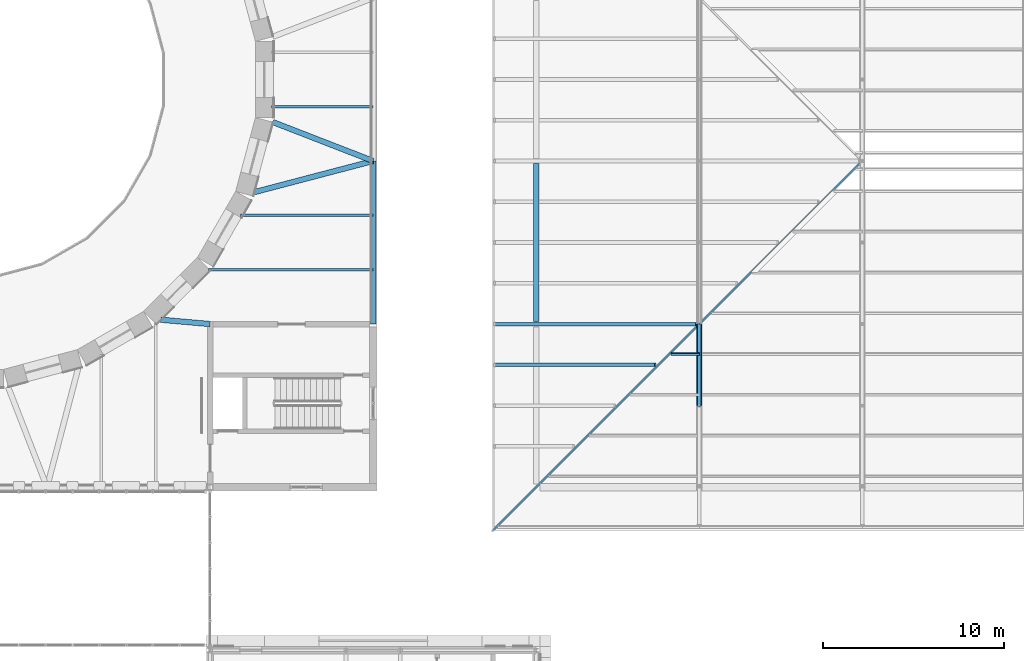
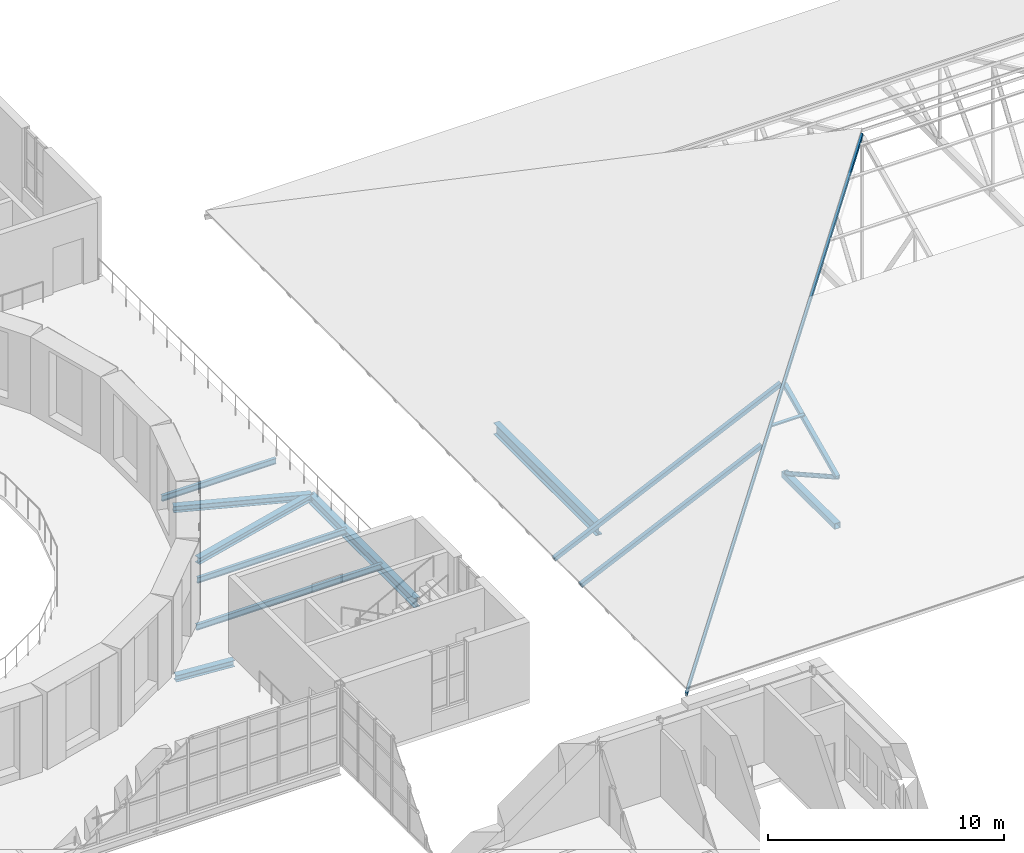
# One storey, part 49 of 154: 8 beams, 7 members.
"""IFC4 building model written with IfcOpenShell, lengths in metres."""

import ifcopenshell
import ifcopenshell.guid

model = None  # the IFC model being written
_history = None  # IfcOwnerHistory: only IFC2X3 demands one
_inside = {}  # id of a spatial element -> (the spatial element, [elements in it])
_under = {}  # id of a project, library or spatial element -> (it, [spatial elements below it])
_declared = {}  # id of a project -> (the project, [libraries it declares])
_typed = {}  # id of a type object -> (the type object, [elements of that type])
_made_of = {}  # id of a material, layer set ... -> (it, [elements and type objects made of it])


def new_model(schema):
    """Start an empty IFC model of exactly this schema.

    Asked for "IFC4X3", IfcOpenShell would pick the latest addendum, in which some entities
    have other attributes; the version numbers below select the first issue.
    IFC2X3 requires an IfcOwnerHistory on every rooted entity: one is made here for all.
    """
    global model, _history
    if schema == "IFC4X3":
        model = ifcopenshell.file(schema_version=(4, 3, 0, 0))
    else:
        model = ifcopenshell.file(schema=schema)
    _inside.clear()
    _under.clear()
    _declared.clear()
    _typed.clear()
    _made_of.clear()
    _history = None
    if model.schema == "IFC2X3":
        org = make("IfcOrganization", Name="unknown")
        user = make(
            "IfcPersonAndOrganization",
            ThePerson=make("IfcPerson", FamilyName="unknown"),
            TheOrganization=org,
        )
        app = make(
            "IfcApplication",
            ApplicationDeveloper=org,
            Version="unknown",
            ApplicationFullName="unknown",
            ApplicationIdentifier="unknown",
        )
        _history = make(
            "IfcOwnerHistory",
            OwningUser=user,
            OwningApplication=app,
            ChangeAction="ADDED",
            CreationDate=0,
        )
    return model


def make(cls, **values):
    """One entity of the class cls with the attributes given. An attribute that is None is left unset."""
    return model.create_entity(
        cls, **{name: value for name, value in values.items() if value is not None}
    )


def rooted(cls, **values):
    """An entity with a GlobalId (a new one), such as an element, a storey or a relation."""
    return make(cls, GlobalId=ifcopenshell.guid.new(), OwnerHistory=_history, **values)


def si_unit(unit_type, name, prefix=None):
    """IfcSIUnit, for example si_unit("LENGTHUNIT", "METRE", prefix="MILLI")."""
    return make("IfcSIUnit", UnitType=unit_type, Prefix=prefix, Name=name)


def assignment(units):
    """IfcUnitAssignment: the units of a project."""
    return None if units is None else make("IfcUnitAssignment", Units=units)


def point(xyz):
    """IfcCartesianPoint."""
    return None if xyz is None else make("IfcCartesianPoint", Coordinates=xyz)


def direction(xyz):
    """IfcDirection."""
    return None if xyz is None else make("IfcDirection", DirectionRatios=xyz)


def frame(location, z_axis=None, x_axis=None):
    """IfcAxis2Placement3D, a coordinate frame: its origin and axes. An axis left out is left unset."""
    return make(
        "IfcAxis2Placement3D",
        Location=point(location),
        Axis=direction(z_axis),
        RefDirection=direction(x_axis),
    )


def frame_2d(location, x_axis=None):
    """IfcAxis2Placement2D, a coordinate frame in the plane: its origin and x axis."""
    return make(
        "IfcAxis2Placement2D", Location=point(location), RefDirection=direction(x_axis)
    )


def origin():
    """The frame at (0, 0, 0) with its axes left unset."""
    return frame((0.0, 0.0, 0.0))


def origin_2d():
    """The frame at (0, 0) in the plane with its x axis left unset."""
    return frame_2d((0.0, 0.0))


def place(relative_to, where):
    """IfcLocalPlacement: puts the frame where relative to a parent placement (None: the world)."""
    return make(
        "IfcLocalPlacement", PlacementRelTo=relative_to, RelativePlacement=where
    )


def context(
    kind, dimensions, precision=None, world=None, true_north=None, identifier=None
):
    """IfcGeometricRepresentationContext, for example the 3D "Model" context."""
    return make(
        "IfcGeometricRepresentationContext",
        ContextIdentifier=identifier,
        ContextType=kind,
        CoordinateSpaceDimension=dimensions,
        Precision=precision,
        WorldCoordinateSystem=world,
        TrueNorth=true_north,
    )


def subcontext(parent, identifier, kind, view, scale=None):
    """IfcGeometricRepresentationSubContext, for example "Body" below "Model"."""
    return make(
        "IfcGeometricRepresentationSubContext",
        ContextIdentifier=identifier,
        ContextType=kind,
        ParentContext=parent,
        TargetScale=scale,
        TargetView=view,
    )


def project(units=None, contexts=None):
    """IfcProject with its units and contexts."""
    return rooted(
        "IfcProject",
        Name="project",
        RepresentationContexts=contexts,
        UnitsInContext=assignment(units),
    )


def spatial(cls, under=None, at=None, **own):
    """A site, building, storey or space (cls), placed at a placement, below another one or the project."""
    s = rooted(cls, ObjectPlacement=at, **own)
    if under is not None:
        _under.setdefault(under.id(), (under, []))[1].append(s)
    return s


def profile(cls, at=None, kind="AREA", **sizes):
    """A parametric profile (cls). Its sizes go by their IFC names, for example OverallWidth=200.0."""
    return make(cls, ProfileType=kind, Position=at, **sizes)


def hollow_rectangle(**sizes):
    """IfcRectangleHollowProfileDef."""
    return profile("IfcRectangleHollowProfileDef", **sizes)


def hollow_circle(**sizes):
    """IfcCircleHollowProfileDef."""
    return profile("IfcCircleHollowProfileDef", **sizes)


def i_section(**sizes):
    """IfcIShapeProfileDef."""
    return profile("IfcIShapeProfileDef", **sizes)


def extrude(swept, where, along, depth):
    """IfcExtrudedAreaSolid: the profile swept, set in the frame where, extruded along a direction by depth."""
    return make(
        "IfcExtrudedAreaSolid",
        SweptArea=swept,
        Position=where,
        ExtrudedDirection=direction(along),
        Depth=depth,
    )


def shape(context_of_items, identifier, shape_type, items):
    """IfcShapeRepresentation: the items that make up one representation, for example the "Body"."""
    return make(
        "IfcShapeRepresentation",
        ContextOfItems=context_of_items,
        RepresentationIdentifier=identifier,
        RepresentationType=shape_type,
        Items=items,
    )


def material(Name=None, Category=None):
    """IfcMaterial."""
    return make("IfcMaterial", Name=Name, Category=Category)


def material_profile(
    of_material, cross_section, Name=None, Category=None, Priority=None
):
    """IfcMaterialProfile: a cross section and its material."""
    return make(
        "IfcMaterialProfile",
        Name=Name,
        Material=of_material,
        Profile=cross_section,
        Priority=Priority,
        Category=Category,
    )


def profile_set(profiles, Name=None, composite=None):
    """IfcMaterialProfileSet."""
    return make(
        "IfcMaterialProfileSet",
        Name=Name,
        MaterialProfiles=profiles,
        CompositeProfile=composite,
    )


def made_of(thing, what):
    """Note that an element or type object is made of a material, layer set ...; save() writes the relation."""
    if what is not None:
        _made_of.setdefault(what.id(), (what, []))[1].append(thing)
    return thing


def type_object(cls, material=None, **own):
    """A type object (cls), such as IfcWallType, which elements share."""
    return made_of(rooted(cls, **own), material)


def element(
    cls,
    number,
    at=None,
    inside=None,
    cuts=None,
    type_object=None,
    material=None,
    context=None,
    identifier="Body",
    shape_type=None,
    held_by="IfcProductDefinitionShape",
    body=None,
    shapes=None,
    **own,
):
    """One element of the class cls, such as IfcWall. Its Tag is "e" and its number.

    at: its placement. inside: the storey or other place that contains it. cuts: it is an
    opening in that element (IfcRelVoidsElement). A single representation is given by context,
    identifier, shape_type and body (its items); several are given by shapes. held_by: the class
    of the entity that holds the representations. save() writes the other relations.
    """
    e = rooted(cls, Tag="e%d" % number, ObjectPlacement=at, **own)
    if body is not None:
        shapes = [shape(context, identifier, shape_type, body)]
    if shapes is not None:
        e.Representation = make(held_by, Representations=shapes)
    if inside is not None:
        _inside.setdefault(inside.id(), (inside, []))[1].append(e)
    if cuts is not None:
        rooted(
            "IfcRelVoidsElement", RelatingBuildingElement=cuts, RelatedOpeningElement=e
        )
    if type_object is not None:
        _typed.setdefault(type_object.id(), (type_object, []))[1].append(e)
    return made_of(e, material)


def aggregate(whole, parts):
    """IfcRelAggregates: a whole, such as a stair, and the parts it consists of."""
    return rooted("IfcRelAggregates", RelatingObject=whole, RelatedObjects=parts)


def save(model, path):
    """Write the relations noted so far, then the file.

    IfcRelAggregates (storeys below a building ...), IfcRelContainedInSpatialStructure (elements
    in a storey), IfcRelDefinesByType, IfcRelAssociatesMaterial and IfcRelDeclares: one each for
    every whole, place, type object, material and project.
    """
    for whole, parts in _under.values():
        aggregate(whole, parts)
    for where, things in _inside.values():
        rooted(
            "IfcRelContainedInSpatialStructure",
            RelatedElements=things,
            RelatingStructure=where,
        )
    for kind, things in _typed.values():
        rooted("IfcRelDefinesByType", RelatedObjects=things, RelatingType=kind)
    for what, things in _made_of.values():
        rooted("IfcRelAssociatesMaterial", RelatedObjects=things, RelatingMaterial=what)
    for by, libraries in _declared.values():
        rooted("IfcRelDeclares", RelatingContext=by, RelatedDefinitions=libraries)
    model.write(path)


model = new_model("IFC4")

# Units and contexts
model_context = context("Model", 3, precision=1e-05, world=origin(), true_north=direction((0.0, 1.0)))
body_context = subcontext(model_context, "Body", "Model", "MODEL_VIEW")
ifc_project = project(units=[si_unit("LENGTHUNIT", "METRE"), si_unit("AREAUNIT", "SQUARE_METRE"), si_unit("VOLUMEUNIT", "CUBIC_METRE"), si_unit("PLANEANGLEUNIT", "RADIAN"), si_unit("MASSUNIT", "GRAM", prefix="KILO")], contexts=[model_context])

# Site, building, storey
site_placement = place(None, origin())
site = spatial("IfcSite", under=ifc_project, at=site_placement, CompositionType="ELEMENT")
building_placement = place(site_placement, origin())
building = spatial("IfcBuilding", under=site, at=building_placement, Name="Golden Quay Civic Hall", CompositionType="ELEMENT")
storey_placement = place(building_placement, frame((0.0, 0.0, 14.39990234375)))
storey = spatial("IfcBuildingStorey", under=building, at=storey_placement, Name="L03", CompositionType="ELEMENT", Elevation=14.39990234375)

# Beams
ifc_material_1 = material(Name="Steel S355", Category="steel")
ifc_material_profile_1 = material_profile(ifc_material_1, i_section(OverallWidth=0.300048828125, OverallDepth=0.60009765625, WebThickness=0.015380859375, FlangeThickness=0.030029296875, FilletRadius=0.027099609375, at=origin_2d()), Name="HEB 600")
ifc_profile_set_1 = profile_set([ifc_material_profile_1], Name="Steel S355")
beam_type_1 = type_object("IfcBeamType", Name="Steel eaves girder HEB 600", PredefinedType="BEAM", material=ifc_profile_set_1)
beam_1_placement = place(storey_placement, frame((117.0, 72.14990234375, 0.050048828125), z_axis=(0.0, 1.0, 0.0), x_axis=(-1.0, 0.0, 0.0)))
element("IfcBeam", 1, at=beam_1_placement, inside=storey, type_object=beam_type_1, Name="Eaves girder 117-2 L03", PredefinedType="BEAM", context=body_context, shape_type="SweptSolid", body=[
    extrude(i_section(OverallWidth=0.300048828125, OverallDepth=0.60009765625, WebThickness=0.015380859375, FlangeThickness=0.030029296875, FilletRadius=0.027099609375, at=origin_2d()), origin(), (0.0, 0.0, 1.0), 8.7001953125),
])
ifc_material_2 = material(Name="Steel S355", Category="steel")
ifc_material_profile_2 = material_profile(ifc_material_2, i_section(OverallWidth=0.300048828125, OverallDepth=0.330078125, WebThickness=0.009521484375, FlangeThickness=0.0166015625, FilletRadius=0.027099609375, at=origin_2d()), Name="HEA 340")
ifc_profile_set_2 = profile_set([ifc_material_profile_2], Name="Steel S355")
beam_type_2 = type_object("IfcBeamType", Name="Steel girder HEA 340", PredefinedType="BEAM", material=ifc_profile_set_2)
beam_2_placement = place(storey_placement, frame((108.0, 81.0, -0.414794921875), z_axis=(-0.932300148585, 0.361685544291, 0.0), x_axis=(-0.361685544291, -0.932300148585, 0.0)))
element("IfcBeam", 2, at=beam_2_placement, inside=storey, type_object=beam_type_2, Name="Radial girder 13", PredefinedType="BEAM", context=body_context, shape_type="SweptSolid", body=[
    extrude(i_section(OverallWidth=0.300048828125, OverallDepth=0.330078125, WebThickness=0.009521484375, FlangeThickness=0.0166015625, FilletRadius=0.027099609375, at=origin_2d()), origin(), (0.0, 0.0, 1.0), 5.9326171875),
])
beam_3_placement = place(storey_placement, frame((108.0, 81.0, -0.414794921875), z_axis=(-0.967279624391, -0.253712688365, 0.0), x_axis=(0.253712688365, -0.967279624391, 0.0)))
element("IfcBeam", 3, at=beam_3_placement, inside=storey, type_object=beam_type_2, Name="Radial girder 14", PredefinedType="BEAM", context=body_context, shape_type="SweptSolid", body=[
    extrude(i_section(OverallWidth=0.300048828125, OverallDepth=0.330078125, WebThickness=0.009521484375, FlangeThickness=0.0166015625, FilletRadius=0.027099609375, at=origin_2d()), origin(), (0.0, 0.0, 1.0), 6.789794921875),
])
beam_4_placement = place(storey_placement, frame((99.0, 72.0, -0.414794921875), z_axis=(-0.996142967671, 0.087745016727, 0.0), x_axis=(-0.087745016727, -0.996142967671, 0.0)))
element("IfcBeam", 4, at=beam_4_placement, inside=storey, type_object=beam_type_2, Name="Radial girder 18", PredefinedType="BEAM", context=body_context, shape_type="SweptSolid", body=[
    extrude(i_section(OverallWidth=0.300048828125, OverallDepth=0.330078125, WebThickness=0.009521484375, FlangeThickness=0.0166015625, FilletRadius=0.027099609375, at=origin_2d()), origin(), (0.0, 0.0, 1.0), 2.7294921875),
])
ifc_material_3 = material(Name="Steel S355", Category="steel")
ifc_material_profile_3 = material_profile(ifc_material_3, i_section(OverallWidth=0.300048828125, OverallDepth=0.489990234375, WebThickness=0.011962890625, FlangeThickness=0.02294921875, FilletRadius=0.027099609375, at=origin_2d()), Name="HEA 500")
ifc_profile_set_3 = profile_set([ifc_material_profile_3], Name="Steel S355")
beam_type_3 = type_object("IfcBeamType", Name="Steel girder HEA 500", PredefinedType="BEAM", material=ifc_profile_set_3)
beam_5_placement = place(storey_placement, frame((108.0, 72.0, -0.494873046875), z_axis=(0.0, 1.0, 0.0), x_axis=(-1.0, 0.0, 0.0)))
element("IfcBeam", 5, at=beam_5_placement, inside=storey, type_object=beam_type_3, Name="Perimeter girder 4", PredefinedType="BEAM", context=body_context, shape_type="SweptSolid", body=[
    extrude(i_section(OverallWidth=0.300048828125, OverallDepth=0.489990234375, WebThickness=0.011962890625, FlangeThickness=0.02294921875, FilletRadius=0.027099609375, at=origin_2d()), origin(), (0.0, 0.0, 1.0), 9.0),
])

# Members
ifc_material_4 = material(Name="Steel S355", Category="steel")
ifc_material_profile_4 = material_profile(ifc_material_4, hollow_rectangle(XDim=0.10009765625, YDim=0.199951171875, WallThickness=0.008056640625, at=origin_2d()), Name="RHS 200x100x8")
ifc_profile_set_4 = profile_set([ifc_material_profile_4], Name="Steel S355")
member_type_1 = type_object("IfcMemberType", Name="Steel hip rafter RHS 200x100x8", PredefinedType="RAFTER", material=ifc_profile_set_4)
member_1_placement = place(storey_placement, frame((114.60009765625, 60.60009765625, -0.663818359375), z_axis=(0.671542486874, 0.671542486874, 0.313147531757), x_axis=(-0.707106781187, 0.707106781187, 0.0)))
element("IfcMember", 6, at=member_1_placement, inside=storey, type_object=member_type_1, Name="Hip rafter south-west L03", PredefinedType="RAFTER", context=body_context, shape_type="SweptSolid", body=[
    extrude(hollow_rectangle(XDim=0.10009765625, YDim=0.199951171875, WallThickness=0.008056640625, at=origin_2d()), origin(), (0.0, 0.0, 1.0), 30.377685546875),
])
ifc_material_5 = material(Name="Steel S355", Category="steel")
ifc_material_profile_5 = material_profile(ifc_material_5, hollow_rectangle(XDim=0.199951171875, YDim=0.199951171875, WallThickness=0.010009765625, at=origin_2d()), Name="SHS 200x200x10")
ifc_profile_set_5 = profile_set([ifc_material_profile_5], Name="Steel S355")
member_type_2 = type_object("IfcMemberType", Name="Steel jack rafter SHS 200x200x10", PredefinedType="RAFTER", material=ifc_profile_set_5)
member_2_placement = place(storey_placement, frame((114.699951171875, 69.75, -0.56787109375), z_axis=(0.906309849576, 0.0, 0.422613838583), x_axis=(0.0, 1.0, 0.0)))
element("IfcMember", 7, at=member_2_placement, inside=storey, type_object=member_type_2, Name="Jack rafter west 3 L03", PredefinedType="RAFTER", context=body_context, shape_type="SweptSolid", body=[
    extrude(hollow_rectangle(XDim=0.199951171875, YDim=0.199951171875, WallThickness=0.010009765625, at=origin_2d()), origin(), (0.0, 0.0, 1.0), 9.79248046875),
])
member_3_placement = place(storey_placement, frame((114.699951171875, 72.0, -0.56787109375), z_axis=(0.9063131757, 0.0, 0.422606705523), x_axis=(0.0, 1.0, 0.0)))
element("IfcMember", 8, at=member_3_placement, inside=storey, type_object=member_type_2, Name="Jack rafter west 4 L03", PredefinedType="RAFTER", context=body_context, shape_type="SweptSolid", body=[
    extrude(hollow_rectangle(XDim=0.199951171875, YDim=0.199951171875, WallThickness=0.010009765625, at=origin_2d()), origin(), (0.0, 0.0, 1.0), 12.27490234375),
])

# Beams
ifc_material_6 = material(Name="Steel S355", Category="steel")
ifc_material_profile_6 = material_profile(ifc_material_6, i_section(OverallWidth=0.14990234375, OverallDepth=0.300048828125, WebThickness=0.007080078125, FlangeThickness=0.0107421875, FilletRadius=0.014892578125, at=origin_2d()), Name="IPE 300")
ifc_profile_set_6 = profile_set([ifc_material_profile_6], Name="Steel S355")
beam_type_4 = type_object("IfcBeamType", Name="Steel joist IPE 300", PredefinedType="JOIST", material=ifc_profile_set_6)
beam_6_placement = place(storey_placement, frame((108.0, 75.0, -0.39990234375), z_axis=(-1.0, 0.0, 0.0), x_axis=(0.0, -1.0, 0.0)))
element("IfcBeam", 9, at=beam_6_placement, inside=storey, type_object=beam_type_4, Name="Floor joist 19", PredefinedType="JOIST", context=body_context, shape_type="SweptSolid", body=[
    extrude(i_section(OverallWidth=0.14990234375, OverallDepth=0.300048828125, WebThickness=0.007080078125, FlangeThickness=0.0107421875, FilletRadius=0.014892578125, at=origin_2d()), origin(), (0.0, 0.0, 1.0), 9.099853515625),
])
beam_7_placement = place(storey_placement, frame((108.0, 78.0, -0.39990234375), z_axis=(-1.0, 0.0, 0.0), x_axis=(0.0, -1.0, 0.0)))
element("IfcBeam", 10, at=beam_7_placement, inside=storey, type_object=beam_type_4, Name="Floor joist 20", PredefinedType="JOIST", context=body_context, shape_type="SweptSolid", body=[
    extrude(i_section(OverallWidth=0.14990234375, OverallDepth=0.300048828125, WebThickness=0.007080078125, FlangeThickness=0.0107421875, FilletRadius=0.014892578125, at=origin_2d()), origin(), (0.0, 0.0, 1.0), 7.315673828125),
])
beam_8_placement = place(storey_placement, frame((108.0, 84.0, -0.39990234375), z_axis=(-1.0, 0.0, 0.0), x_axis=(0.0, -1.0, 0.0)))
element("IfcBeam", 11, at=beam_8_placement, inside=storey, type_object=beam_type_4, Name="Floor joist 21", PredefinedType="JOIST", context=body_context, shape_type="SweptSolid", body=[
    extrude(i_section(OverallWidth=0.14990234375, OverallDepth=0.300048828125, WebThickness=0.007080078125, FlangeThickness=0.0107421875, FilletRadius=0.014892578125, at=origin_2d()), origin(), (0.0, 0.0, 1.0), 5.60009765625),
])

# Members
ifc_material_7 = material(Name="Steel S355", Category="steel")
ifc_material_profile_7 = material_profile(ifc_material_7, hollow_rectangle(XDim=0.1201171875, YDim=0.1201171875, WallThickness=0.008056640625, at=origin_2d()), Name="SHS 120x120x8")
ifc_profile_set_7 = profile_set([ifc_material_profile_7], Name="Steel S355")
member_type_3 = type_object("IfcMemberType", Name="Steel roof purlin SHS 120x120x8", PredefinedType="PURLIN", material=ifc_profile_set_7)
member_4_placement = place(storey_placement, frame((124.425048828125, 70.35009765625, 3.931884765625), z_axis=(1.0, 0.0, 0.0), x_axis=(0.0, 0.906307787037, 0.422618261741)))
element("IfcMember", 12, at=member_4_placement, inside=storey, type_object=member_type_3, Name="Purlin south 5-1 L03", PredefinedType="PURLIN", context=body_context, shape_type="SweptSolid", body=[
    extrude(hollow_rectangle(XDim=0.1201171875, YDim=0.1201171875, WallThickness=0.008056640625, at=origin_2d()), origin(), (0.0, 0.0, 1.0), 1.574951171875),
])
ifc_material_8 = material(Name="Steel S355", Category="steel")
ifc_material_profile_8 = material_profile(ifc_material_8, hollow_rectangle(XDim=0.300048828125, YDim=0.300048828125, WallThickness=0.01611328125, at=origin_2d()), Name="SHS 300x300x16")
ifc_profile_set_8 = profile_set([ifc_material_profile_8], Name="Steel S355")
member_type_4 = type_object("IfcMemberType", Name="Steel truss bottom chord SHS 300x300x16", PredefinedType="USERDEFINED", material=ifc_profile_set_8)
member_5_placement = place(storey_placement, frame((126.0, 67.5, -0.099853515625), z_axis=(0.0, 1.0, 0.0), x_axis=(-1.0, 0.0, 0.0)))
element("IfcMember", 13, at=member_5_placement, inside=storey, type_object=member_type_4, Name="Truss 126 bottom chord 2 L03", ObjectType="TRUSS BOTTOM CHORD", PredefinedType="USERDEFINED", context=body_context, shape_type="SweptSolid", body=[
    extrude(hollow_rectangle(XDim=0.300048828125, YDim=0.300048828125, WallThickness=0.01611328125, at=origin_2d()), origin(), (0.0, 0.0, 1.0), 4.5),
])
ifc_material_9 = material(Name="Steel S355", Category="steel")
ifc_material_profile_9 = material_profile(ifc_material_9, hollow_circle(Radius=0.109619140625, WallThickness=0.010009765625, at=origin_2d()), Name="CHS 219.1x10")
ifc_profile_set_9 = profile_set([ifc_material_profile_9], Name="Steel S355")
member_type_5 = type_object("IfcMemberType", Name="Steel truss diagonal CHS 219.1x10", PredefinedType="BRACE", material=ifc_profile_set_9)
member_6_placement = place(storey_placement, frame((126.0, 67.5, 2.426513671875), z_axis=(0.0, 0.871979533951, -0.489542329499), x_axis=(-1.0, 0.0, 0.0)))
element("IfcMember", 14, at=member_6_placement, inside=storey, type_object=member_type_5, Name="Truss 126 diagonal 2 L03", PredefinedType="BRACE", context=body_context, shape_type="SweptSolid", body=[
    extrude(hollow_circle(Radius=0.109619140625, WallThickness=0.010009765625, at=origin_2d()), origin(), (0.0, 0.0, 1.0), 5.16064453125),
])
ifc_material_10 = material(Name="Steel S355", Category="steel")
ifc_material_profile_10 = material_profile(ifc_material_10, hollow_rectangle(XDim=0.199951171875, YDim=0.199951171875, WallThickness=0.010009765625, at=origin_2d()), Name="SHS 200x200x10")
ifc_profile_set_10 = profile_set([ifc_material_profile_10], Name="Steel S355")
member_type_6 = type_object("IfcMemberType", Name="Steel truss top chord SHS 200x200x10", PredefinedType="USERDEFINED", material=ifc_profile_set_10)
member_7_placement = place(storey_placement, frame((126.0, 67.5, 2.426513671875), z_axis=(0.0, 0.906307462258, 0.422618958231), x_axis=(-1.0, 0.0, 0.0)))
element("IfcMember", 15, at=member_7_placement, inside=storey, type_object=member_type_6, Name="Truss 126 top chord 3 L03", ObjectType="TRUSS TOP CHORD", PredefinedType="USERDEFINED", context=body_context, shape_type="SweptSolid", body=[
    extrude(hollow_rectangle(XDim=0.199951171875, YDim=0.199951171875, WallThickness=0.010009765625, at=origin_2d()), origin(), (0.0, 0.0, 1.0), 4.965087890625),
])

save(model, "model.ifc")
